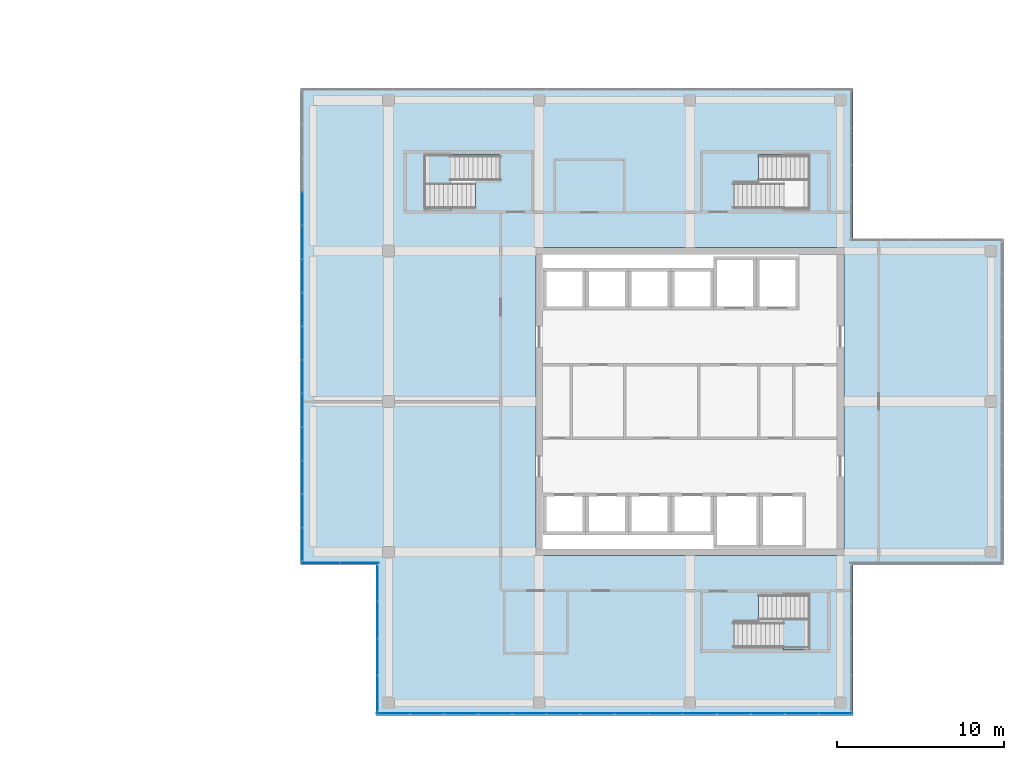
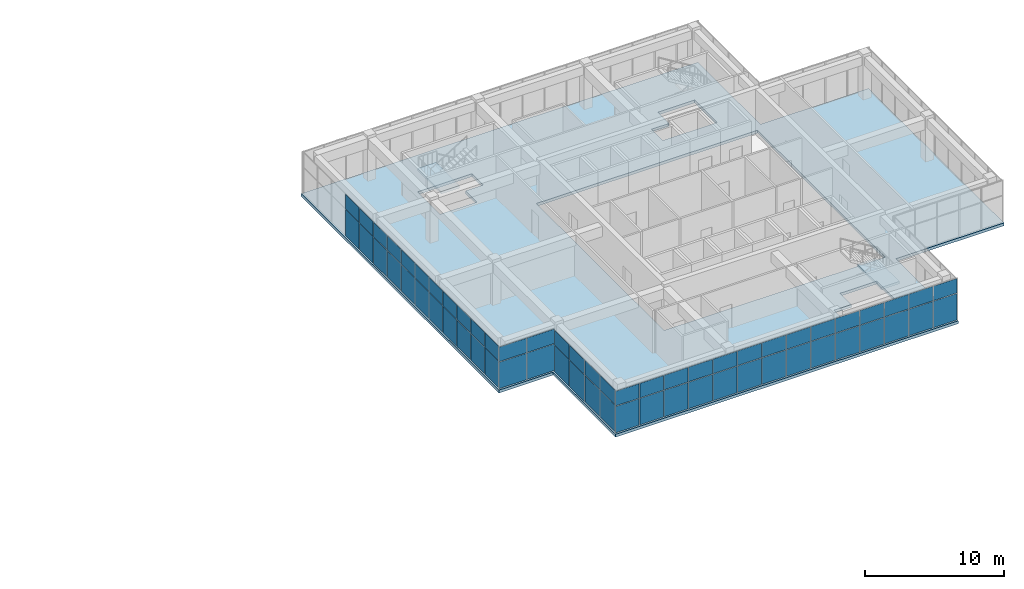
# One storey, part 34 of 43: 62 plates, 3 slabs, 6 elements without a shape of their own.
"""IFC4 building model written with IfcOpenShell, lengths in metres."""

from ifc_helpers import new_model, si_unit, direction, frame, origin, origin_2d, place, context, subcontext, project, spatial, polyline, rectangle, outline, extrude, material, layer, layer_set, type_object, element, aggregate, save


model = new_model("IFC4")

# Units and contexts
model_context = context("Model", 3, precision=1e-05, world=origin(), true_north=direction((0.0, 1.0)))
body_context = subcontext(model_context, "Body", "Model", "MODEL_VIEW")
ifc_project = project(units=[si_unit("LENGTHUNIT", "METRE"), si_unit("AREAUNIT", "SQUARE_METRE"), si_unit("VOLUMEUNIT", "CUBIC_METRE"), si_unit("PLANEANGLEUNIT", "RADIAN"), si_unit("MASSUNIT", "GRAM", prefix="KILO")], contexts=[model_context])

# Site, building, storey
site_placement = place(None, origin())
site = spatial("IfcSite", under=ifc_project, at=site_placement, CompositionType="ELEMENT")
building_placement = place(site_placement, origin())
building = spatial("IfcBuilding", under=site, at=building_placement, Name="Tuart Plaza Theatre", CompositionType="ELEMENT")
storey_placement = place(building_placement, frame((0.0, 0.0, 33.5)))
storey = spatial("IfcBuildingStorey", under=building, at=storey_placement, Name="L08", CompositionType="ELEMENT", Elevation=33.5)

# Curtain wall, plates
ifc_material_1 = material(Name="Aluminium and glass", Category="aluminium")
ifc_layer_1 = layer(ifc_material_1, 0.10009765625)
ifc_layer_set_1 = layer_set([ifc_layer_1], Name="CURTAIN WALL 2000 module")
curtain_wall_type = type_object("IfcCurtainWallType", Name="CURTAIN WALL 2000 module", PredefinedType="NOTDEFINED", material=ifc_layer_set_1)
curtain_wall_1_placement = place(storey_placement, origin())
curtain_wall_1 = element("IfcCurtainWall", 1, at=curtain_wall_1_placement, inside=storey, type_object=curtain_wall_type, Name="CW88", PredefinedType="NOTDEFINED")
ifc_material_2 = material(Name="Glass", Category="glass")
ifc_layer_2 = layer(ifc_material_2, 0.028076171875)
ifc_layer_set_2 = layer_set([ifc_layer_2], Name="CURTAIN PANEL double glazed 28")
plate_type_1 = type_object("IfcPlateType", Name="CURTAIN PANEL double glazed 28", PredefinedType="CURTAIN_PANEL", material=ifc_layer_set_2)
plate_1_placement = place(storey_placement, frame((114.2802734375, 55.35009765625, 0.0498046875), z_axis=(0.0, 0.0, 1.0), x_axis=(1.0, 0.0, 0.0)))
plate_1 = element("IfcPlate", 2, at=plate_1_placement, type_object=plate_type_1, Name="CW88 panel 1.1", PredefinedType="CURTAIN_PANEL", context=body_context, shape_type="SweptSolid", body=[
    extrude(rectangle(XDim=1.960693359375, YDim=0.028076171875, at=origin_2d()), origin(), (0.0, 0.0, 1.0), 2.324951171875),
])
plate_2_placement = place(storey_placement, frame((114.2802734375, 55.35009765625, 2.425048828125), z_axis=(0.0, 0.0, 1.0), x_axis=(1.0, 0.0, 0.0)))
plate_2 = element("IfcPlate", 3, at=plate_2_placement, type_object=plate_type_1, Name="CW88 panel 1.2", PredefinedType="CURTAIN_PANEL", context=body_context, shape_type="SweptSolid", body=[
    extrude(rectangle(XDim=1.960693359375, YDim=0.028076171875, at=origin_2d()), origin(), (0.0, 0.0, 1.0), 1.27490234375),
])
plate_3_placement = place(storey_placement, frame((116.303466796875, 55.35009765625, 0.0498046875), z_axis=(0.0, 0.0, 1.0), x_axis=(1.0, 0.0, 0.0)))
plate_3 = element("IfcPlate", 4, at=plate_3_placement, type_object=plate_type_1, Name="CW88 panel 2.1", PredefinedType="CURTAIN_PANEL", context=body_context, shape_type="SweptSolid", body=[
    extrude(rectangle(XDim=1.985595703125, YDim=0.028076171875, at=origin_2d()), origin(), (0.0, 0.0, 1.0), 2.324951171875),
])
plate_4_placement = place(storey_placement, frame((116.303466796875, 55.35009765625, 2.425048828125), z_axis=(0.0, 0.0, 1.0), x_axis=(1.0, 0.0, 0.0)))
plate_4 = element("IfcPlate", 5, at=plate_4_placement, type_object=plate_type_1, Name="CW88 panel 2.2", PredefinedType="CURTAIN_PANEL", context=body_context, shape_type="SweptSolid", body=[
    extrude(rectangle(XDim=1.985595703125, YDim=0.028076171875, at=origin_2d()), origin(), (0.0, 0.0, 1.0), 1.27490234375),
])
plate_5_placement = place(storey_placement, frame((118.33935546875, 55.35009765625, 0.0498046875), z_axis=(0.0, 0.0, 1.0), x_axis=(1.0, 0.0, 0.0)))
plate_5 = element("IfcPlate", 6, at=plate_5_placement, type_object=plate_type_1, Name="CW88 panel 3.1", PredefinedType="CURTAIN_PANEL", context=body_context, shape_type="SweptSolid", body=[
    extrude(rectangle(XDim=1.985595703125, YDim=0.028076171875, at=origin_2d()), origin(), (0.0, 0.0, 1.0), 2.324951171875),
])
plate_6_placement = place(storey_placement, frame((118.33935546875, 55.35009765625, 2.425048828125), z_axis=(0.0, 0.0, 1.0), x_axis=(1.0, 0.0, 0.0)))
plate_6 = element("IfcPlate", 7, at=plate_6_placement, type_object=plate_type_1, Name="CW88 panel 3.2", PredefinedType="CURTAIN_PANEL", context=body_context, shape_type="SweptSolid", body=[
    extrude(rectangle(XDim=1.985595703125, YDim=0.028076171875, at=origin_2d()), origin(), (0.0, 0.0, 1.0), 1.27490234375),
])
plate_7_placement = place(storey_placement, frame((120.375, 55.35009765625, 0.0498046875), z_axis=(0.0, 0.0, 1.0), x_axis=(1.0, 0.0, 0.0)))
plate_7 = element("IfcPlate", 8, at=plate_7_placement, type_object=plate_type_1, Name="CW88 panel 4.1", PredefinedType="CURTAIN_PANEL", context=body_context, shape_type="SweptSolid", body=[
    extrude(rectangle(XDim=1.985595703125, YDim=0.028076171875, at=origin_2d()), origin(), (0.0, 0.0, 1.0), 2.324951171875),
])
plate_8_placement = place(storey_placement, frame((120.375, 55.35009765625, 2.425048828125), z_axis=(0.0, 0.0, 1.0), x_axis=(1.0, 0.0, 0.0)))
plate_8 = element("IfcPlate", 9, at=plate_8_placement, type_object=plate_type_1, Name="CW88 panel 4.2", PredefinedType="CURTAIN_PANEL", context=body_context, shape_type="SweptSolid", body=[
    extrude(rectangle(XDim=1.985595703125, YDim=0.028076171875, at=origin_2d()), origin(), (0.0, 0.0, 1.0), 1.27490234375),
])
plate_9_placement = place(storey_placement, frame((122.41064453125, 55.35009765625, 0.0498046875), z_axis=(0.0, 0.0, 1.0), x_axis=(1.0, 0.0, 0.0)))
plate_9 = element("IfcPlate", 10, at=plate_9_placement, type_object=plate_type_1, Name="CW88 panel 5.1", PredefinedType="CURTAIN_PANEL", context=body_context, shape_type="SweptSolid", body=[
    extrude(rectangle(XDim=1.985595703125, YDim=0.028076171875, at=origin_2d()), origin(), (0.0, 0.0, 1.0), 2.324951171875),
])
plate_10_placement = place(storey_placement, frame((122.41064453125, 55.35009765625, 2.425048828125), z_axis=(0.0, 0.0, 1.0), x_axis=(1.0, 0.0, 0.0)))
plate_10 = element("IfcPlate", 11, at=plate_10_placement, type_object=plate_type_1, Name="CW88 panel 5.2", PredefinedType="CURTAIN_PANEL", context=body_context, shape_type="SweptSolid", body=[
    extrude(rectangle(XDim=1.985595703125, YDim=0.028076171875, at=origin_2d()), origin(), (0.0, 0.0, 1.0), 1.27490234375),
])
plate_11_placement = place(storey_placement, frame((124.446533203125, 55.35009765625, 0.0498046875), z_axis=(0.0, 0.0, 1.0), x_axis=(1.0, 0.0, 0.0)))
plate_11 = element("IfcPlate", 12, at=plate_11_placement, type_object=plate_type_1, Name="CW88 panel 6.1", PredefinedType="CURTAIN_PANEL", context=body_context, shape_type="SweptSolid", body=[
    extrude(rectangle(XDim=1.985595703125, YDim=0.028076171875, at=origin_2d()), origin(), (0.0, 0.0, 1.0), 2.324951171875),
])
plate_12_placement = place(storey_placement, frame((124.446533203125, 55.35009765625, 2.425048828125), z_axis=(0.0, 0.0, 1.0), x_axis=(1.0, 0.0, 0.0)))
plate_12 = element("IfcPlate", 13, at=plate_12_placement, type_object=plate_type_1, Name="CW88 panel 6.2", PredefinedType="CURTAIN_PANEL", context=body_context, shape_type="SweptSolid", body=[
    extrude(rectangle(XDim=1.985595703125, YDim=0.028076171875, at=origin_2d()), origin(), (0.0, 0.0, 1.0), 1.27490234375),
])
plate_13_placement = place(storey_placement, frame((126.482177734375, 55.35009765625, 0.0498046875), z_axis=(0.0, 0.0, 1.0), x_axis=(1.0, 0.0, 0.0)))
plate_13 = element("IfcPlate", 14, at=plate_13_placement, type_object=plate_type_1, Name="CW88 panel 7.1", PredefinedType="CURTAIN_PANEL", context=body_context, shape_type="SweptSolid", body=[
    extrude(rectangle(XDim=1.985595703125, YDim=0.028076171875, at=origin_2d()), origin(), (0.0, 0.0, 1.0), 2.324951171875),
])
plate_14_placement = place(storey_placement, frame((126.482177734375, 55.35009765625, 2.425048828125), z_axis=(0.0, 0.0, 1.0), x_axis=(1.0, 0.0, 0.0)))
plate_14 = element("IfcPlate", 15, at=plate_14_placement, type_object=plate_type_1, Name="CW88 panel 7.2", PredefinedType="CURTAIN_PANEL", context=body_context, shape_type="SweptSolid", body=[
    extrude(rectangle(XDim=1.985595703125, YDim=0.028076171875, at=origin_2d()), origin(), (0.0, 0.0, 1.0), 1.27490234375),
])
plate_15_placement = place(storey_placement, frame((128.517822265625, 55.35009765625, 0.0498046875), z_axis=(0.0, 0.0, 1.0), x_axis=(1.0, 0.0, 0.0)))
plate_15 = element("IfcPlate", 16, at=plate_15_placement, type_object=plate_type_1, Name="CW88 panel 8.1", PredefinedType="CURTAIN_PANEL", context=body_context, shape_type="SweptSolid", body=[
    extrude(rectangle(XDim=1.985595703125, YDim=0.028076171875, at=origin_2d()), origin(), (0.0, 0.0, 1.0), 2.324951171875),
])
plate_16_placement = place(storey_placement, frame((128.517822265625, 55.35009765625, 2.425048828125), z_axis=(0.0, 0.0, 1.0), x_axis=(1.0, 0.0, 0.0)))
plate_16 = element("IfcPlate", 17, at=plate_16_placement, type_object=plate_type_1, Name="CW88 panel 8.2", PredefinedType="CURTAIN_PANEL", context=body_context, shape_type="SweptSolid", body=[
    extrude(rectangle(XDim=1.985595703125, YDim=0.028076171875, at=origin_2d()), origin(), (0.0, 0.0, 1.0), 1.27490234375),
])
plate_17_placement = place(storey_placement, frame((130.553466796875, 55.35009765625, 0.0498046875), z_axis=(0.0, 0.0, 1.0), x_axis=(1.0, 0.0, 0.0)))
plate_17 = element("IfcPlate", 18, at=plate_17_placement, type_object=plate_type_1, Name="CW88 panel 9.1", PredefinedType="CURTAIN_PANEL", context=body_context, shape_type="SweptSolid", body=[
    extrude(rectangle(XDim=1.985595703125, YDim=0.028076171875, at=origin_2d()), origin(), (0.0, 0.0, 1.0), 2.324951171875),
])
plate_18_placement = place(storey_placement, frame((130.553466796875, 55.35009765625, 2.425048828125), z_axis=(0.0, 0.0, 1.0), x_axis=(1.0, 0.0, 0.0)))
plate_18 = element("IfcPlate", 19, at=plate_18_placement, type_object=plate_type_1, Name="CW88 panel 9.2", PredefinedType="CURTAIN_PANEL", context=body_context, shape_type="SweptSolid", body=[
    extrude(rectangle(XDim=1.985595703125, YDim=0.028076171875, at=origin_2d()), origin(), (0.0, 0.0, 1.0), 1.27490234375),
])
plate_19_placement = place(storey_placement, frame((132.58935546875, 55.35009765625, 0.0498046875), z_axis=(0.0, 0.0, 1.0), x_axis=(1.0, 0.0, 0.0)))
plate_19 = element("IfcPlate", 20, at=plate_19_placement, type_object=plate_type_1, Name="CW88 panel 10.1", PredefinedType="CURTAIN_PANEL", context=body_context, shape_type="SweptSolid", body=[
    extrude(rectangle(XDim=1.985595703125, YDim=0.028076171875, at=origin_2d()), origin(), (0.0, 0.0, 1.0), 2.324951171875),
])
plate_20_placement = place(storey_placement, frame((132.58935546875, 55.35009765625, 2.425048828125), z_axis=(0.0, 0.0, 1.0), x_axis=(1.0, 0.0, 0.0)))
plate_20 = element("IfcPlate", 21, at=plate_20_placement, type_object=plate_type_1, Name="CW88 panel 10.2", PredefinedType="CURTAIN_PANEL", context=body_context, shape_type="SweptSolid", body=[
    extrude(rectangle(XDim=1.985595703125, YDim=0.028076171875, at=origin_2d()), origin(), (0.0, 0.0, 1.0), 1.27490234375),
])
plate_21_placement = place(storey_placement, frame((134.625, 55.35009765625, 0.0498046875), z_axis=(0.0, 0.0, 1.0), x_axis=(1.0, 0.0, 0.0)))
plate_21 = element("IfcPlate", 22, at=plate_21_placement, type_object=plate_type_1, Name="CW88 panel 11.1", PredefinedType="CURTAIN_PANEL", context=body_context, shape_type="SweptSolid", body=[
    extrude(rectangle(XDim=1.985595703125, YDim=0.028076171875, at=origin_2d()), origin(), (0.0, 0.0, 1.0), 2.324951171875),
])
plate_22_placement = place(storey_placement, frame((134.625, 55.35009765625, 2.425048828125), z_axis=(0.0, 0.0, 1.0), x_axis=(1.0, 0.0, 0.0)))
plate_22 = element("IfcPlate", 23, at=plate_22_placement, type_object=plate_type_1, Name="CW88 panel 11.2", PredefinedType="CURTAIN_PANEL", context=body_context, shape_type="SweptSolid", body=[
    extrude(rectangle(XDim=1.985595703125, YDim=0.028076171875, at=origin_2d()), origin(), (0.0, 0.0, 1.0), 1.27490234375),
])
plate_23_placement = place(storey_placement, frame((136.66064453125, 55.35009765625, 0.0498046875), z_axis=(0.0, 0.0, 1.0), x_axis=(1.0, 0.0, 0.0)))
plate_23 = element("IfcPlate", 24, at=plate_23_placement, type_object=plate_type_1, Name="CW88 panel 12.1", PredefinedType="CURTAIN_PANEL", context=body_context, shape_type="SweptSolid", body=[
    extrude(rectangle(XDim=1.985595703125, YDim=0.028076171875, at=origin_2d()), origin(), (0.0, 0.0, 1.0), 2.324951171875),
])
plate_24_placement = place(storey_placement, frame((136.66064453125, 55.35009765625, 2.425048828125), z_axis=(0.0, 0.0, 1.0), x_axis=(1.0, 0.0, 0.0)))
plate_24 = element("IfcPlate", 25, at=plate_24_placement, type_object=plate_type_1, Name="CW88 panel 12.2", PredefinedType="CURTAIN_PANEL", context=body_context, shape_type="SweptSolid", body=[
    extrude(rectangle(XDim=1.985595703125, YDim=0.028076171875, at=origin_2d()), origin(), (0.0, 0.0, 1.0), 1.27490234375),
])
plate_25_placement = place(storey_placement, frame((138.696533203125, 55.35009765625, 0.0498046875), z_axis=(0.0, 0.0, 1.0), x_axis=(1.0, 0.0, 0.0)))
plate_25 = element("IfcPlate", 26, at=plate_25_placement, type_object=plate_type_1, Name="CW88 panel 13.1", PredefinedType="CURTAIN_PANEL", context=body_context, shape_type="SweptSolid", body=[
    extrude(rectangle(XDim=1.985595703125, YDim=0.028076171875, at=origin_2d()), origin(), (0.0, 0.0, 1.0), 2.324951171875),
])
plate_26_placement = place(storey_placement, frame((138.696533203125, 55.35009765625, 2.425048828125), z_axis=(0.0, 0.0, 1.0), x_axis=(1.0, 0.0, 0.0)))
plate_26 = element("IfcPlate", 27, at=plate_26_placement, type_object=plate_type_1, Name="CW88 panel 13.2", PredefinedType="CURTAIN_PANEL", context=body_context, shape_type="SweptSolid", body=[
    extrude(rectangle(XDim=1.985595703125, YDim=0.028076171875, at=origin_2d()), origin(), (0.0, 0.0, 1.0), 1.27490234375),
])

curtain_wall_2_placement = place(storey_placement, origin())
curtain_wall_2 = element("IfcCurtainWall", 28, at=curtain_wall_2_placement, inside=storey, type_object=curtain_wall_type, Name="CW97", PredefinedType="NOTDEFINED")
plate_27_placement = place(storey_placement, frame((108.85009765625, 85.52490234375, 0.0498046875), z_axis=(0.0, 0.0, 1.0), x_axis=(0.0, -1.0, 0.0)))
plate_27 = element("IfcPlate", 29, at=plate_27_placement, type_object=plate_type_1, Name="CW97 panel 4.1", PredefinedType="CURTAIN_PANEL", context=body_context, shape_type="SweptSolid", body=[
    extrude(rectangle(XDim=1.95703125, YDim=0.028076171875, at=origin_2d()), origin(), (0.0, 0.0, 1.0), 2.324951171875),
])
plate_28_placement = place(storey_placement, frame((108.85009765625, 85.52490234375, 2.425048828125), z_axis=(0.0, 0.0, 1.0), x_axis=(0.0, -1.0, 0.0)))
plate_28 = element("IfcPlate", 30, at=plate_28_placement, type_object=plate_type_1, Name="CW97 panel 4.2", PredefinedType="CURTAIN_PANEL", context=body_context, shape_type="SweptSolid", body=[
    extrude(rectangle(XDim=1.95703125, YDim=0.028076171875, at=origin_2d()), origin(), (0.0, 0.0, 1.0), 1.27490234375),
])
plate_29_placement = place(storey_placement, frame((108.85009765625, 83.517822265625, 0.0498046875), z_axis=(0.0, 0.0, 1.0), x_axis=(0.0, -1.0, 0.0)))
plate_29 = element("IfcPlate", 31, at=plate_29_placement, type_object=plate_type_1, Name="CW97 panel 5.1", PredefinedType="CURTAIN_PANEL", context=body_context, shape_type="SweptSolid", body=[
    extrude(rectangle(XDim=1.95703125, YDim=0.028076171875, at=origin_2d()), origin(), (0.0, 0.0, 1.0), 2.324951171875),
])
plate_30_placement = place(storey_placement, frame((108.85009765625, 83.517822265625, 2.425048828125), z_axis=(0.0, 0.0, 1.0), x_axis=(0.0, -1.0, 0.0)))
plate_30 = element("IfcPlate", 32, at=plate_30_placement, type_object=plate_type_1, Name="CW97 panel 5.2", PredefinedType="CURTAIN_PANEL", context=body_context, shape_type="SweptSolid", body=[
    extrude(rectangle(XDim=1.95703125, YDim=0.028076171875, at=origin_2d()), origin(), (0.0, 0.0, 1.0), 1.27490234375),
])
plate_31_placement = place(storey_placement, frame((108.85009765625, 81.5107421875, 0.0498046875), z_axis=(0.0, 0.0, 1.0), x_axis=(0.0, -1.0, 0.0)))
plate_31 = element("IfcPlate", 33, at=plate_31_placement, type_object=plate_type_1, Name="CW97 panel 6.1", PredefinedType="CURTAIN_PANEL", context=body_context, shape_type="SweptSolid", body=[
    extrude(rectangle(XDim=1.95703125, YDim=0.028076171875, at=origin_2d()), origin(), (0.0, 0.0, 1.0), 2.324951171875),
])
plate_32_placement = place(storey_placement, frame((108.85009765625, 81.5107421875, 2.425048828125), z_axis=(0.0, 0.0, 1.0), x_axis=(0.0, -1.0, 0.0)))
plate_32 = element("IfcPlate", 34, at=plate_32_placement, type_object=plate_type_1, Name="CW97 panel 6.2", PredefinedType="CURTAIN_PANEL", context=body_context, shape_type="SweptSolid", body=[
    extrude(rectangle(XDim=1.95703125, YDim=0.028076171875, at=origin_2d()), origin(), (0.0, 0.0, 1.0), 1.27490234375),
])
plate_33_placement = place(storey_placement, frame((108.85009765625, 79.503662109375, 0.0498046875), z_axis=(0.0, 0.0, 1.0), x_axis=(0.0, -1.0, 0.0)))
plate_33 = element("IfcPlate", 35, at=plate_33_placement, type_object=plate_type_1, Name="CW97 panel 7.1", PredefinedType="CURTAIN_PANEL", context=body_context, shape_type="SweptSolid", body=[
    extrude(rectangle(XDim=1.95703125, YDim=0.028076171875, at=origin_2d()), origin(), (0.0, 0.0, 1.0), 2.324951171875),
])
plate_34_placement = place(storey_placement, frame((108.85009765625, 79.503662109375, 2.425048828125), z_axis=(0.0, 0.0, 1.0), x_axis=(0.0, -1.0, 0.0)))
plate_34 = element("IfcPlate", 36, at=plate_34_placement, type_object=plate_type_1, Name="CW97 panel 7.2", PredefinedType="CURTAIN_PANEL", context=body_context, shape_type="SweptSolid", body=[
    extrude(rectangle(XDim=1.95703125, YDim=0.028076171875, at=origin_2d()), origin(), (0.0, 0.0, 1.0), 1.27490234375),
])
plate_35_placement = place(storey_placement, frame((108.85009765625, 77.496337890625, 0.0498046875), z_axis=(0.0, 0.0, 1.0), x_axis=(0.0, -1.0, 0.0)))
plate_35 = element("IfcPlate", 37, at=plate_35_placement, type_object=plate_type_1, Name="CW97 panel 8.1", PredefinedType="CURTAIN_PANEL", context=body_context, shape_type="SweptSolid", body=[
    extrude(rectangle(XDim=1.95703125, YDim=0.028076171875, at=origin_2d()), origin(), (0.0, 0.0, 1.0), 2.324951171875),
])
plate_36_placement = place(storey_placement, frame((108.85009765625, 77.496337890625, 2.425048828125), z_axis=(0.0, 0.0, 1.0), x_axis=(0.0, -1.0, 0.0)))
plate_36 = element("IfcPlate", 38, at=plate_36_placement, type_object=plate_type_1, Name="CW97 panel 8.2", PredefinedType="CURTAIN_PANEL", context=body_context, shape_type="SweptSolid", body=[
    extrude(rectangle(XDim=1.95703125, YDim=0.028076171875, at=origin_2d()), origin(), (0.0, 0.0, 1.0), 1.27490234375),
])
plate_37_placement = place(storey_placement, frame((108.85009765625, 75.4892578125, 0.0498046875), z_axis=(0.0, 0.0, 1.0), x_axis=(0.0, -1.0, 0.0)))
plate_37 = element("IfcPlate", 39, at=plate_37_placement, type_object=plate_type_1, Name="CW97 panel 9.1", PredefinedType="CURTAIN_PANEL", context=body_context, shape_type="SweptSolid", body=[
    extrude(rectangle(XDim=1.95703125, YDim=0.028076171875, at=origin_2d()), origin(), (0.0, 0.0, 1.0), 2.324951171875),
])
plate_38_placement = place(storey_placement, frame((108.85009765625, 75.4892578125, 2.425048828125), z_axis=(0.0, 0.0, 1.0), x_axis=(0.0, -1.0, 0.0)))
plate_38 = element("IfcPlate", 40, at=plate_38_placement, type_object=plate_type_1, Name="CW97 panel 9.2", PredefinedType="CURTAIN_PANEL", context=body_context, shape_type="SweptSolid", body=[
    extrude(rectangle(XDim=1.95703125, YDim=0.028076171875, at=origin_2d()), origin(), (0.0, 0.0, 1.0), 1.27490234375),
])
plate_39_placement = place(storey_placement, frame((108.85009765625, 73.482177734375, 0.0498046875), z_axis=(0.0, 0.0, 1.0), x_axis=(0.0, -1.0, 0.0)))
plate_39 = element("IfcPlate", 41, at=plate_39_placement, type_object=plate_type_1, Name="CW97 panel 10.1", PredefinedType="CURTAIN_PANEL", context=body_context, shape_type="SweptSolid", body=[
    extrude(rectangle(XDim=1.95703125, YDim=0.028076171875, at=origin_2d()), origin(), (0.0, 0.0, 1.0), 2.324951171875),
])
plate_40_placement = place(storey_placement, frame((108.85009765625, 73.482177734375, 2.425048828125), z_axis=(0.0, 0.0, 1.0), x_axis=(0.0, -1.0, 0.0)))
plate_40 = element("IfcPlate", 42, at=plate_40_placement, type_object=plate_type_1, Name="CW97 panel 10.2", PredefinedType="CURTAIN_PANEL", context=body_context, shape_type="SweptSolid", body=[
    extrude(rectangle(XDim=1.95703125, YDim=0.028076171875, at=origin_2d()), origin(), (0.0, 0.0, 1.0), 1.27490234375),
])
plate_41_placement = place(storey_placement, frame((108.85009765625, 71.47509765625, 0.0498046875), z_axis=(0.0, 0.0, 1.0), x_axis=(0.0, -1.0, 0.0)))
plate_41 = element("IfcPlate", 43, at=plate_41_placement, type_object=plate_type_1, Name="CW97 panel 11.1", PredefinedType="CURTAIN_PANEL", context=body_context, shape_type="SweptSolid", body=[
    extrude(rectangle(XDim=1.95703125, YDim=0.028076171875, at=origin_2d()), origin(), (0.0, 0.0, 1.0), 2.324951171875),
])
plate_42_placement = place(storey_placement, frame((108.85009765625, 71.47509765625, 2.425048828125), z_axis=(0.0, 0.0, 1.0), x_axis=(0.0, -1.0, 0.0)))
plate_42 = element("IfcPlate", 44, at=plate_42_placement, type_object=plate_type_1, Name="CW97 panel 11.2", PredefinedType="CURTAIN_PANEL", context=body_context, shape_type="SweptSolid", body=[
    extrude(rectangle(XDim=1.95703125, YDim=0.028076171875, at=origin_2d()), origin(), (0.0, 0.0, 1.0), 1.27490234375),
])
plate_43_placement = place(storey_placement, frame((108.85009765625, 69.4677734375, 0.0498046875), z_axis=(0.0, 0.0, 1.0), x_axis=(0.0, -1.0, 0.0)))
plate_43 = element("IfcPlate", 45, at=plate_43_placement, type_object=plate_type_1, Name="CW97 panel 12.1", PredefinedType="CURTAIN_PANEL", context=body_context, shape_type="SweptSolid", body=[
    extrude(rectangle(XDim=1.95703125, YDim=0.028076171875, at=origin_2d()), origin(), (0.0, 0.0, 1.0), 2.324951171875),
])
plate_44_placement = place(storey_placement, frame((108.85009765625, 69.4677734375, 2.425048828125), z_axis=(0.0, 0.0, 1.0), x_axis=(0.0, -1.0, 0.0)))
plate_44 = element("IfcPlate", 46, at=plate_44_placement, type_object=plate_type_1, Name="CW97 panel 12.2", PredefinedType="CURTAIN_PANEL", context=body_context, shape_type="SweptSolid", body=[
    extrude(rectangle(XDim=1.95703125, YDim=0.028076171875, at=origin_2d()), origin(), (0.0, 0.0, 1.0), 1.27490234375),
])
plate_45_placement = place(storey_placement, frame((108.85009765625, 67.460693359375, 0.0498046875), z_axis=(0.0, 0.0, 1.0), x_axis=(0.0, -1.0, 0.0)))
plate_45 = element("IfcPlate", 47, at=plate_45_placement, type_object=plate_type_1, Name="CW97 panel 13.1", PredefinedType="CURTAIN_PANEL", context=body_context, shape_type="SweptSolid", body=[
    extrude(rectangle(XDim=1.95703125, YDim=0.028076171875, at=origin_2d()), origin(), (0.0, 0.0, 1.0), 2.324951171875),
])
plate_46_placement = place(storey_placement, frame((108.85009765625, 67.460693359375, 2.425048828125), z_axis=(0.0, 0.0, 1.0), x_axis=(0.0, -1.0, 0.0)))
plate_46 = element("IfcPlate", 48, at=plate_46_placement, type_object=plate_type_1, Name="CW97 panel 13.2", PredefinedType="CURTAIN_PANEL", context=body_context, shape_type="SweptSolid", body=[
    extrude(rectangle(XDim=1.95703125, YDim=0.028076171875, at=origin_2d()), origin(), (0.0, 0.0, 1.0), 1.27490234375),
])
plate_47_placement = place(storey_placement, frame((108.85009765625, 65.466064453125, 0.0498046875), z_axis=(0.0, 0.0, 1.0), x_axis=(0.0, -1.0, 0.0)))
plate_47 = element("IfcPlate", 49, at=plate_47_placement, type_object=plate_type_1, Name="CW97 panel 14.1", PredefinedType="CURTAIN_PANEL", context=body_context, shape_type="SweptSolid", body=[
    extrude(rectangle(XDim=1.93212890625, YDim=0.028076171875, at=origin_2d()), origin(), (0.0, 0.0, 1.0), 2.324951171875),
])
plate_48_placement = place(storey_placement, frame((108.85009765625, 65.466064453125, 2.425048828125), z_axis=(0.0, 0.0, 1.0), x_axis=(0.0, -1.0, 0.0)))
plate_48 = element("IfcPlate", 50, at=plate_48_placement, type_object=plate_type_1, Name="CW97 panel 14.2", PredefinedType="CURTAIN_PANEL", context=body_context, shape_type="SweptSolid", body=[
    extrude(rectangle(XDim=1.93212890625, YDim=0.028076171875, at=origin_2d()), origin(), (0.0, 0.0, 1.0), 1.27490234375),
])
aggregate(curtain_wall_2, [plate_27, plate_28, plate_29, plate_30, plate_31, plate_32, plate_33, plate_34, plate_35, plate_36, plate_37, plate_38, plate_39, plate_40, plate_41, plate_42, plate_43, plate_44, plate_45, plate_46, plate_47, plate_48])

curtain_wall_3_placement = place(storey_placement, origin())
curtain_wall_3 = element("IfcCurtainWall", 51, at=curtain_wall_3_placement, inside=storey, type_object=curtain_wall_type, Name="CW98", PredefinedType="NOTDEFINED")
plate_49_placement = place(storey_placement, frame((109.9375, 64.35009765625, 0.0498046875), z_axis=(0.0, 0.0, 1.0), x_axis=(1.0, 0.0, 0.0)))
plate_49 = element("IfcPlate", 52, at=plate_49_placement, type_object=plate_type_1, Name="CW98 panel 1.1", PredefinedType="CURTAIN_PANEL", context=body_context, shape_type="SweptSolid", body=[
    extrude(rectangle(XDim=2.27490234375, YDim=0.028076171875, at=origin_2d()), origin(), (0.0, 0.0, 1.0), 2.324951171875),
])
plate_50_placement = place(storey_placement, frame((109.9375, 64.35009765625, 2.425048828125), z_axis=(0.0, 0.0, 1.0), x_axis=(1.0, 0.0, 0.0)))
plate_50 = element("IfcPlate", 53, at=plate_50_placement, type_object=plate_type_1, Name="CW98 panel 1.2", PredefinedType="CURTAIN_PANEL", context=body_context, shape_type="SweptSolid", body=[
    extrude(rectangle(XDim=2.27490234375, YDim=0.028076171875, at=origin_2d()), origin(), (0.0, 0.0, 1.0), 1.27490234375),
])
plate_51_placement = place(storey_placement, frame((112.262451171875, 64.35009765625, 0.0498046875), z_axis=(0.0, 0.0, 1.0), x_axis=(1.0, 0.0, 0.0)))
plate_51 = element("IfcPlate", 54, at=plate_51_placement, type_object=plate_type_1, Name="CW98 panel 2.1", PredefinedType="CURTAIN_PANEL", context=body_context, shape_type="SweptSolid", body=[
    extrude(rectangle(XDim=2.27490234375, YDim=0.028076171875, at=origin_2d()), origin(), (0.0, 0.0, 1.0), 2.324951171875),
])
plate_52_placement = place(storey_placement, frame((112.262451171875, 64.35009765625, 2.425048828125), z_axis=(0.0, 0.0, 1.0), x_axis=(1.0, 0.0, 0.0)))
plate_52 = element("IfcPlate", 55, at=plate_52_placement, type_object=plate_type_1, Name="CW98 panel 2.2", PredefinedType="CURTAIN_PANEL", context=body_context, shape_type="SweptSolid", body=[
    extrude(rectangle(XDim=2.27490234375, YDim=0.028076171875, at=origin_2d()), origin(), (0.0, 0.0, 1.0), 1.27490234375),
])
aggregate(curtain_wall_3, [plate_49, plate_50, plate_51, plate_52])

curtain_wall_4_placement = place(storey_placement, origin())
curtain_wall_4 = element("IfcCurtainWall", 56, at=curtain_wall_4_placement, inside=storey, type_object=curtain_wall_type, Name="CW99", PredefinedType="NOTDEFINED")
plate_53_placement = place(storey_placement, frame((113.35009765625, 63.137451171875, 0.0498046875), z_axis=(0.0, 0.0, 1.0), x_axis=(0.0, -1.0, 0.0)))
plate_53 = element("IfcPlate", 57, at=plate_53_placement, type_object=plate_type_1, Name="CW99 panel 1.1", PredefinedType="CURTAIN_PANEL", context=body_context, shape_type="SweptSolid", body=[
    extrude(rectangle(XDim=2.125, YDim=0.028076171875, at=origin_2d()), origin(), (0.0, 0.0, 1.0), 2.324951171875),
])
plate_54_placement = place(storey_placement, frame((113.35009765625, 63.137451171875, 2.425048828125), z_axis=(0.0, 0.0, 1.0), x_axis=(0.0, -1.0, 0.0)))
plate_54 = element("IfcPlate", 58, at=plate_54_placement, type_object=plate_type_1, Name="CW99 panel 1.2", PredefinedType="CURTAIN_PANEL", context=body_context, shape_type="SweptSolid", body=[
    extrude(rectangle(XDim=2.125, YDim=0.028076171875, at=origin_2d()), origin(), (0.0, 0.0, 1.0), 1.27490234375),
])
plate_55_placement = place(storey_placement, frame((113.35009765625, 60.949951171875, 0.0498046875), z_axis=(0.0, 0.0, 1.0), x_axis=(0.0, -1.0, 0.0)))
plate_55 = element("IfcPlate", 59, at=plate_55_placement, type_object=plate_type_1, Name="CW99 panel 2.1", PredefinedType="CURTAIN_PANEL", context=body_context, shape_type="SweptSolid", body=[
    extrude(rectangle(XDim=2.14990234375, YDim=0.028076171875, at=origin_2d()), origin(), (0.0, 0.0, 1.0), 2.324951171875),
])
plate_56_placement = place(storey_placement, frame((113.35009765625, 60.949951171875, 2.425048828125), z_axis=(0.0, 0.0, 1.0), x_axis=(0.0, -1.0, 0.0)))
plate_56 = element("IfcPlate", 60, at=plate_56_placement, type_object=plate_type_1, Name="CW99 panel 2.2", PredefinedType="CURTAIN_PANEL", context=body_context, shape_type="SweptSolid", body=[
    extrude(rectangle(XDim=2.14990234375, YDim=0.028076171875, at=origin_2d()), origin(), (0.0, 0.0, 1.0), 1.27490234375),
])
plate_57_placement = place(storey_placement, frame((113.35009765625, 58.75, 0.0498046875), z_axis=(0.0, 0.0, 1.0), x_axis=(0.0, -1.0, 0.0)))
plate_57 = element("IfcPlate", 61, at=plate_57_placement, type_object=plate_type_1, Name="CW99 panel 3.1", PredefinedType="CURTAIN_PANEL", context=body_context, shape_type="SweptSolid", body=[
    extrude(rectangle(XDim=2.14990234375, YDim=0.028076171875, at=origin_2d()), origin(), (0.0, 0.0, 1.0), 2.324951171875),
])
plate_58_placement = place(storey_placement, frame((113.35009765625, 58.75, 2.425048828125), z_axis=(0.0, 0.0, 1.0), x_axis=(0.0, -1.0, 0.0)))
plate_58 = element("IfcPlate", 62, at=plate_58_placement, type_object=plate_type_1, Name="CW99 panel 3.2", PredefinedType="CURTAIN_PANEL", context=body_context, shape_type="SweptSolid", body=[
    extrude(rectangle(XDim=2.14990234375, YDim=0.028076171875, at=origin_2d()), origin(), (0.0, 0.0, 1.0), 1.27490234375),
])
plate_59_placement = place(storey_placement, frame((113.35009765625, 56.5625, 0.0498046875), z_axis=(0.0, 0.0, 1.0), x_axis=(0.0, -1.0, 0.0)))
plate_59 = element("IfcPlate", 63, at=plate_59_placement, type_object=plate_type_1, Name="CW99 panel 4.1", PredefinedType="CURTAIN_PANEL", context=body_context, shape_type="SweptSolid", body=[
    extrude(rectangle(XDim=2.125, YDim=0.028076171875, at=origin_2d()), origin(), (0.0, 0.0, 1.0), 2.324951171875),
])
plate_60_placement = place(storey_placement, frame((113.35009765625, 56.5625, 2.425048828125), z_axis=(0.0, 0.0, 1.0), x_axis=(0.0, -1.0, 0.0)))
plate_60 = element("IfcPlate", 64, at=plate_60_placement, type_object=plate_type_1, Name="CW99 panel 4.2", PredefinedType="CURTAIN_PANEL", context=body_context, shape_type="SweptSolid", body=[
    extrude(rectangle(XDim=2.125, YDim=0.028076171875, at=origin_2d()), origin(), (0.0, 0.0, 1.0), 1.27490234375),
])
aggregate(curtain_wall_4, [plate_53, plate_54, plate_55, plate_56, plate_57, plate_58, plate_59, plate_60])

# Plate
ifc_material_3 = material(Name="Zinc")
ifc_layer_3 = layer(ifc_material_3, 0.028076171875)
ifc_layer_set_3 = layer_set([ifc_layer_3], Name="CURTAIN PANEL zinc 28")
plate_type_2 = type_object("IfcPlateType", Name="CURTAIN PANEL zinc 28", PredefinedType="CURTAIN_PANEL", material=ifc_layer_set_3)
plate_61_placement = place(storey_placement, frame((140.7197265625, 55.35009765625, 0.0498046875), z_axis=(0.0, 0.0, 1.0), x_axis=(1.0, 0.0, 0.0)))
plate_61 = element("IfcPlate", 65, at=plate_61_placement, type_object=plate_type_2, Name="CW88 zinc panel 14.1", PredefinedType="CURTAIN_PANEL", context=body_context, shape_type="SweptSolid", body=[
    extrude(rectangle(XDim=1.960693359375, YDim=0.028076171875, at=origin_2d()), origin(), (0.0, 0.0, 1.0), 2.324951171875),
])

plate_62_placement = place(storey_placement, frame((140.7197265625, 55.35009765625, 2.425048828125), z_axis=(0.0, 0.0, 1.0), x_axis=(1.0, 0.0, 0.0)))
plate_62 = element("IfcPlate", 66, at=plate_62_placement, type_object=plate_type_2, Name="CW88 zinc panel 14.2", PredefinedType="CURTAIN_PANEL", context=body_context, shape_type="SweptSolid", body=[
    extrude(rectangle(XDim=1.960693359375, YDim=0.028076171875, at=origin_2d()), origin(), (0.0, 0.0, 1.0), 1.27490234375),
])

aggregate(curtain_wall_1, [plate_1, plate_2, plate_3, plate_4, plate_5, plate_6, plate_7, plate_8, plate_9, plate_10, plate_11, plate_12, plate_13, plate_14, plate_15, plate_16, plate_17, plate_18, plate_19, plate_20, plate_21, plate_22, plate_23, plate_24, plate_25, plate_26, plate_61, plate_62])

# Slab
ifc_material_4 = material(Name="Concrete N40 (40 MPa)", Category="concrete")
ifc_layer_4 = layer(ifc_material_4, 0.25)
ifc_layer_set_4 = layer_set([ifc_layer_4], Name="SLAB Floor 250 Concrete N40 (40 MPa)")
slab_type_1 = type_object("IfcSlabType", Name="SLAB Floor 250 Concrete N40 (40 MPa)", PredefinedType="FLOOR", material=ifc_layer_set_4)
slab_1_placement = place(storey_placement, frame((0.0, 0.0, -0.25)))
element("IfcSlab", 67, at=slab_1_placement, inside=storey, type_object=slab_type_1, Name="S91", PredefinedType="FLOOR", context=body_context, shape_type="SweptSolid", body=[
    extrude(outline(polyline([(141.75, 83.75), (141.75, 92.75), (108.75, 92.75), (108.75, 64.25), (113.25, 64.25), (113.25, 55.25), (141.75, 55.25), (141.75, 64.25), (150.75, 64.25), (150.75, 83.75), (141.75, 83.75)]), holes=[polyline([(141.199951171875, 64.800048828125), (141.199951171875, 83.199951171875), (122.800048828125, 83.199951171875), (122.800048828125, 64.800048828125), (141.199951171875, 64.800048828125)]), polyline([(136.114990234375, 62.5), (136.114990234375, 60.875), (134.655029296875, 60.875), (134.655029296875, 59.25), (139.169921875, 59.25), (139.169921875, 62.5), (136.114990234375, 62.5)]), polyline([(139.169921875, 88.75), (136.114990234375, 88.75), (136.114990234375, 87.125), (134.655029296875, 87.125), (134.655029296875, 85.5), (139.169921875, 85.5), (139.169921875, 88.75)]), polyline([(116.1298828125, 88.75), (116.1298828125, 85.5), (119.18505859375, 85.5), (119.18505859375, 87.125), (120.64501953125, 87.125), (120.64501953125, 88.75), (116.1298828125, 88.75)])]), origin(), (0.0, 0.0, 1.0), 0.25),
])

# Stair, slab
ifc_material_5 = material(Name="Concrete N40 (40 MPa)", Category="concrete")
stair_type = type_object("IfcStairType", Name="STAIR half turn 1500", PredefinedType="HALF_TURN_STAIR", material=ifc_material_5)
stair_1_placement = place(storey_placement, origin())
stair_1 = element("IfcStair", 68, at=stair_1_placement, inside=storey, type_object=stair_type, Name="SC-4", PredefinedType="HALF_TURN_STAIR")
ifc_material_6 = material(Name="Concrete N40 (40 MPa)", Category="concrete")
ifc_layer_5 = layer(ifc_material_6, 0.199951171875)
ifc_layer_set_5 = layer_set([ifc_layer_5], Name="STAIR LANDING 200")
slab_type_2 = type_object("IfcSlabType", Name="STAIR LANDING 200", PredefinedType="LANDING", material=ifc_layer_set_5)
slab_2_placement = place(storey_placement, frame((0.0, 0.0, 1.800048828125)))
slab_2 = element("IfcSlab", 69, at=slab_2_placement, type_object=slab_type_2, Name="SC-4 landing 1", PredefinedType="LANDING", context=body_context, shape_type="SweptSolid", body=[
    extrude(outline(polyline([(137.60009765625, 59.177001953125), (139.1298828125, 59.177001953125), (139.1298828125, 62.572998046875), (137.60009765625, 62.572998046875), (137.60009765625, 59.177001953125)])), origin(), (0.0, 0.0, 1.0), 0.199951171875),
])
aggregate(stair_1, [slab_2])

stair_2_placement = place(storey_placement, origin())
stair_2 = element("IfcStair", 70, at=stair_2_placement, inside=storey, type_object=stair_type, Name="SC-16", PredefinedType="HALF_TURN_STAIR")
slab_3_placement = place(storey_placement, frame((0.0, 0.0, 1.800048828125)))
slab_3 = element("IfcSlab", 71, at=slab_3_placement, type_object=slab_type_2, Name="SC-16 landing 1", PredefinedType="LANDING", context=body_context, shape_type="SweptSolid", body=[
    extrude(outline(polyline([(117.699951171875, 88.822998046875), (116.169921875, 88.822998046875), (116.169921875, 85.427001953125), (117.699951171875, 85.427001953125), (117.699951171875, 88.822998046875)])), origin(), (0.0, 0.0, 1.0), 0.199951171875),
])
aggregate(stair_2, [slab_3])

save(model, "model.ifc")
